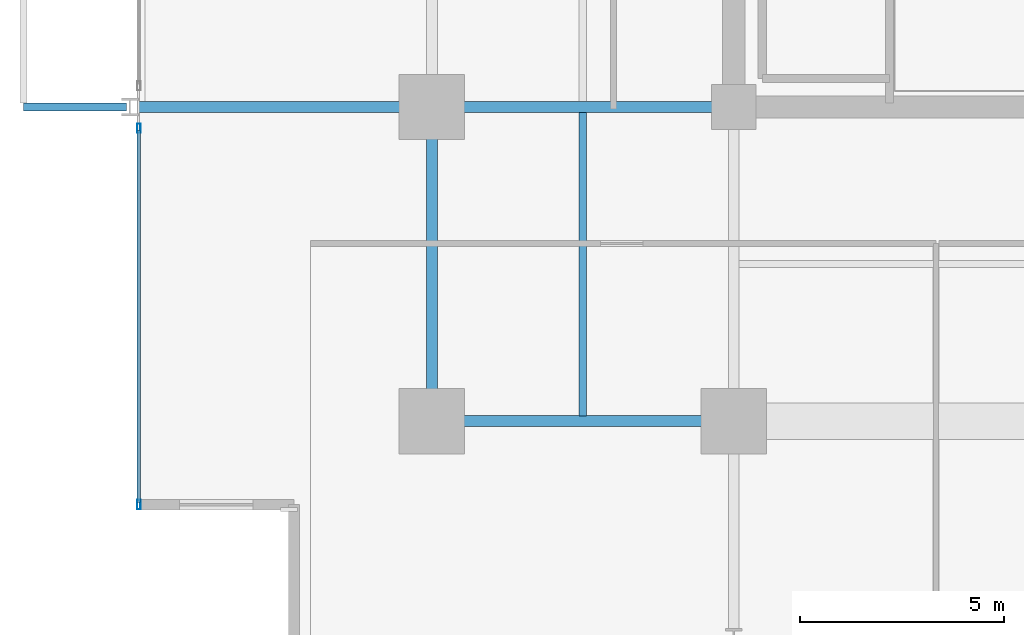
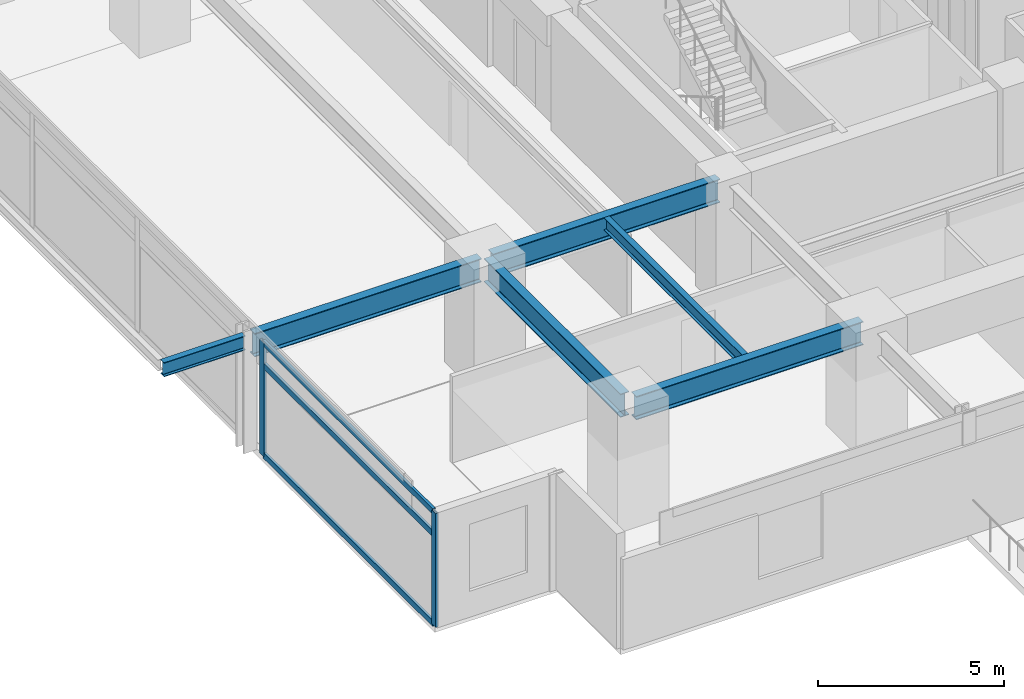
# One storey, part 2 of 22: 6 beams, 5 members, 1 element without a shape of its own.
"""IFC4 building model written with IfcOpenShell, lengths in metres."""

from ifc_helpers import new_model, si_unit, direction, frame, origin, origin_2d, place, context, subcontext, project, spatial, hollow_rectangle, i_section, extrude, material, material_profile, profile_set, type_object, element, aggregate, save


model = new_model("IFC4")

# Units and contexts
model_context = context("Model", 3, precision=1e-05, world=origin(), true_north=direction((0.0, 1.0)))
body_context = subcontext(model_context, "Body", "Model", "MODEL_VIEW")
ifc_project = project(units=[si_unit("LENGTHUNIT", "METRE"), si_unit("AREAUNIT", "SQUARE_METRE"), si_unit("VOLUMEUNIT", "CUBIC_METRE"), si_unit("PLANEANGLEUNIT", "RADIAN"), si_unit("MASSUNIT", "GRAM", prefix="KILO")], contexts=[model_context])

# Site, building, storey
site_placement = place(None, origin())
site = spatial("IfcSite", under=ifc_project, at=site_placement, CompositionType="ELEMENT")
building_placement = place(site_placement, origin())
building = spatial("IfcBuilding", under=site, at=building_placement, Name="Kovane Verandah Tower", CompositionType="ELEMENT")
storey_placement = place(building_placement, frame((0.0, 0.0, 156.39990234375)))
storey = spatial("IfcBuildingStorey", under=building, at=storey_placement, Name="L36", CompositionType="ELEMENT", Elevation=156.39990234375)

# Beams
ifc_material_1 = material(Name="Steel S355", Category="steel")
ifc_material_profile_1 = material_profile(ifc_material_1, i_section(OverallWidth=0.26806640625, OverallDepth=0.769775390625, WebThickness=0.015625, FlangeThickness=0.025390625, FilletRadius=0.0166015625, at=origin_2d()), Name="UB762x267x197")
ifc_profile_set_1 = profile_set([ifc_material_profile_1], Name="Steel S355")
beam_type_1 = type_object("IfcBeamType", Name="BM-UB762x197", PredefinedType="BEAM", material=ifc_profile_set_1)
beam_1_placement = place(storey_placement, frame((21.780029296875, 10.800048828125, 3.39013671875), z_axis=(1.0, 0.0, 0.0), x_axis=(0.0, 1.0, 0.0)))
element("IfcBeam", 1, at=beam_1_placement, inside=storey, type_object=beam_type_1, Name="L36 Primary Tower Girder G-RS1", PredefinedType="BEAM", context=body_context, shape_type="SweptSolid", body=[
    extrude(i_section(OverallWidth=0.26806640625, OverallDepth=0.769775390625, WebThickness=0.015625, FlangeThickness=0.025390625, FilletRadius=0.0166015625, at=origin_2d()), origin(), (0.0, 0.0, 1.0), 7.0400390625),
])
beam_2_placement = place(storey_placement, frame((21.60009765625, 10.97998046875, 3.39013671875), z_axis=(0.0, 1.0, 0.0), x_axis=(-1.0, 0.0, 0.0)))
element("IfcBeam", 2, at=beam_2_placement, inside=storey, type_object=beam_type_1, Name="L36 Primary Tower Girder G-RW1", PredefinedType="BEAM", context=body_context, shape_type="SweptSolid", body=[
    extrude(i_section(OverallWidth=0.26806640625, OverallDepth=0.769775390625, WebThickness=0.015625, FlangeThickness=0.025390625, FilletRadius=0.0166015625, at=origin_2d()), origin(), (0.0, 0.0, 1.0), 7.340087890625),
])
for number, where, z_axis, x_axis, name in (
    (3, (28.820068359375, 18.5, 3.39013671875), (-1.0, 0.0, 0.0), (0.0, -1.0, 0.0), "L36 Primary Tower Girder G-W1"),
    (4, (21.419921875, 18.5, 3.375244140625), (-1.0, 0.0, 0.0), (0.0, -1.0, 0.0), "L36 Primary Tower Girder G-VW1"),
):
    element("IfcBeam", number, at=place(storey_placement, frame(where, z_axis=z_axis, x_axis=x_axis)), inside=storey, type_object=beam_type_1, Name=name, PredefinedType="BEAM", context=body_context, shape_type="SweptSolid", body=[
        extrude(i_section(OverallWidth=0.26806640625, OverallDepth=0.769775390625, WebThickness=0.015625, FlangeThickness=0.025390625, FilletRadius=0.0166015625, at=origin_2d()), origin(), (0.0, 0.0, 1.0), 7.0400390625),
    ])

# Curtain wall, members
ifc_material_2 = material(Name="Champagne Anodised Aluminium Frame with Low-E Clear Laminated Glass", Category="aluminium")
curtain_wall_type = type_object("IfcCurtainWallType", Name="CW-SYS-03-MID", PredefinedType="NOTDEFINED", material=ifc_material_2)
curtain_wall_placement = place(storey_placement, origin())
curtain_wall = element("IfcCurtainWall", 5, at=curtain_wall_placement, inside=storey, type_object=curtain_wall_type, Name="L36 W Unitised Curtain Wall-3", PredefinedType="NOTDEFINED")
ifc_material_3 = material(Name="Champagne Anodised Aluminium 6063-T6", Category="aluminium")
ifc_material_profile_2 = material_profile(ifc_material_3, hollow_rectangle(XDim=0.0849609375, YDim=0.22998046875, WallThickness=0.00390625, at=origin_2d()), Name="AL85x230x4")
ifc_profile_set_2 = profile_set([ifc_material_profile_2], Name="Champagne Anodised Aluminium 6063-T6")
member_type_1 = type_object("IfcMemberType", Name="CW-MUL-85x230", PredefinedType="MULLION", material=ifc_profile_set_2)
member_1_placement = place(storey_placement, frame((14.419677734375, 17.97998046875, 0.02001953125), z_axis=(0.0, 0.0, 1.0), x_axis=(-1.0, 0.0, 0.0)))
member_1 = element("IfcMember", 6, at=member_1_placement, type_object=member_type_1, Name="L36 W Unitised Curtain Wall-3 Mullion 1", PredefinedType="MULLION", context=body_context, shape_type="SweptSolid", body=[
    extrude(hollow_rectangle(XDim=0.0849609375, YDim=0.22998046875, WallThickness=0.00390625, at=origin_2d()), origin(), (0.0, 0.0, 1.0), 3.735107421875),
])
member_2_placement = place(storey_placement, frame((14.419677734375, 8.75390625, 0.02001953125), z_axis=(0.0, 0.0, 1.0), x_axis=(-1.0, 0.0, 0.0)))
member_2 = element("IfcMember", 7, at=member_2_placement, type_object=member_type_1, Name="L36 W Unitised Curtain Wall-3 Mullion 2", PredefinedType="MULLION", context=body_context, shape_type="SweptSolid", body=[
    extrude(hollow_rectangle(XDim=0.0849609375, YDim=0.22998046875, WallThickness=0.00390625, at=origin_2d()), origin(), (0.0, 0.0, 1.0), 3.735107421875),
])
ifc_material_profile_3 = material_profile(ifc_material_3, hollow_rectangle(XDim=0.0849609375, YDim=0.18994140625, WallThickness=0.00390625, at=origin_2d()), Name="AL85x190x4")
ifc_profile_set_3 = profile_set([ifc_material_profile_3], Name="Champagne Anodised Aluminium 6063-T6")
member_type_2 = type_object("IfcMemberType", Name="CW-TRN-85x190", PredefinedType="USERDEFINED", material=ifc_profile_set_3)
member_3_placement = place(storey_placement, frame((14.419677734375, 17.929931640625, 0.050048828125), z_axis=(0.0, -1.0, 0.0), x_axis=(1.0, 0.0, 0.0)))
member_3 = element("IfcMember", 8, at=member_3_placement, type_object=member_type_2, Name="L36 W Unitised Curtain Wall-3 Transom TB Bay 1", ObjectType="TRANSOM", PredefinedType="USERDEFINED", context=body_context, shape_type="SweptSolid", body=[
    extrude(hollow_rectangle(XDim=0.0849609375, YDim=0.18994140625, WallThickness=0.00390625, at=origin_2d()), origin(), (0.0, 0.0, 1.0), 9.126220703125),
])
member_4_placement = place(storey_placement, frame((14.419677734375, 17.929931640625, 2.9951171875), z_axis=(0.0, -1.0, 0.0), x_axis=(1.0, 0.0, 0.0)))
member_4 = element("IfcMember", 9, at=member_4_placement, type_object=member_type_2, Name="L36 W Unitised Curtain Wall-3 Transom TM Bay 1", ObjectType="TRANSOM", PredefinedType="USERDEFINED", context=body_context, shape_type="SweptSolid", body=[
    extrude(hollow_rectangle(XDim=0.0849609375, YDim=0.18994140625, WallThickness=0.00390625, at=origin_2d()), origin(), (0.0, 0.0, 1.0), 9.126220703125),
])
member_5_placement = place(storey_placement, frame((14.419677734375, 17.929931640625, 3.72509765625), z_axis=(0.0, -1.0, 0.0), x_axis=(1.0, 0.0, 0.0)))
member_5 = element("IfcMember", 10, at=member_5_placement, type_object=member_type_2, Name="L36 W Unitised Curtain Wall-3 Transom TT Bay 1", ObjectType="TRANSOM", PredefinedType="USERDEFINED", context=body_context, shape_type="SweptSolid", body=[
    extrude(hollow_rectangle(XDim=0.0849609375, YDim=0.18994140625, WallThickness=0.00390625, at=origin_2d()), origin(), (0.0, 0.0, 1.0), 9.126220703125),
])
aggregate(curtain_wall, [member_1, member_2, member_3, member_4, member_5])

# Beams
ifc_material_profile_4 = material_profile(ifc_material_1, i_section(OverallWidth=0.179443359375, OverallDepth=0.412841796875, WebThickness=0.009521484375, FlangeThickness=0.01611328125, FilletRadius=0.01025390625, at=origin_2d()), Name="UB406x178x74")
ifc_profile_set_4 = profile_set([ifc_material_profile_4], Name="Steel S355")
beam_type_2 = type_object("IfcBeamType", Name="JST-UB406x74", PredefinedType="JOIST", material=ifc_profile_set_4)
beam_3_placement = place(storey_placement, frame((25.300048828125, 10.931884765625, 3.568603515625), z_axis=(0.0, 1.0, 0.0), x_axis=(-1.0, 0.0, 0.0)))
element("IfcBeam", 11, at=beam_3_placement, inside=storey, type_object=beam_type_2, Name="L36 Secondary Composite Joist J-SW1", PredefinedType="JOIST", context=body_context, shape_type="SweptSolid", body=[
    extrude(i_section(OverallWidth=0.179443359375, OverallDepth=0.412841796875, WebThickness=0.009521484375, FlangeThickness=0.01611328125, FilletRadius=0.01025390625, at=origin_2d()), origin(), (0.0, 0.0, 1.0), 7.43603515625),
])
ifc_material_profile_5 = material_profile(ifc_material_1, i_section(OverallWidth=0.19287109375, OverallDepth=0.46728515625, WebThickness=0.011474609375, FlangeThickness=0.01953125, FilletRadius=0.01025390625, at=origin_2d()), Name="UB457x191x98")
ifc_profile_set_5 = profile_set([ifc_material_profile_5], Name="Steel S355")
beam_type_3 = type_object("IfcBeamType", Name="JST-UB457x98", PredefinedType="JOIST", material=ifc_profile_set_5)
beam_4_placement = place(storey_placement, frame((14.1201171875, 18.5, 3.526611328125), z_axis=(-1.0, 0.0, 0.0), x_axis=(0.0, -1.0, 0.0)))
element("IfcBeam", 12, at=beam_4_placement, inside=storey, type_object=beam_type_3, Name="L36 West Planter Girder 1", PredefinedType="JOIST", context=body_context, shape_type="SweptSolid", body=[
    extrude(i_section(OverallWidth=0.19287109375, OverallDepth=0.46728515625, WebThickness=0.011474609375, FlangeThickness=0.01953125, FilletRadius=0.01025390625, at=origin_2d()), origin(), (0.0, 0.0, 1.0), 2.529052734375),
])

save(model, "model.ifc")
